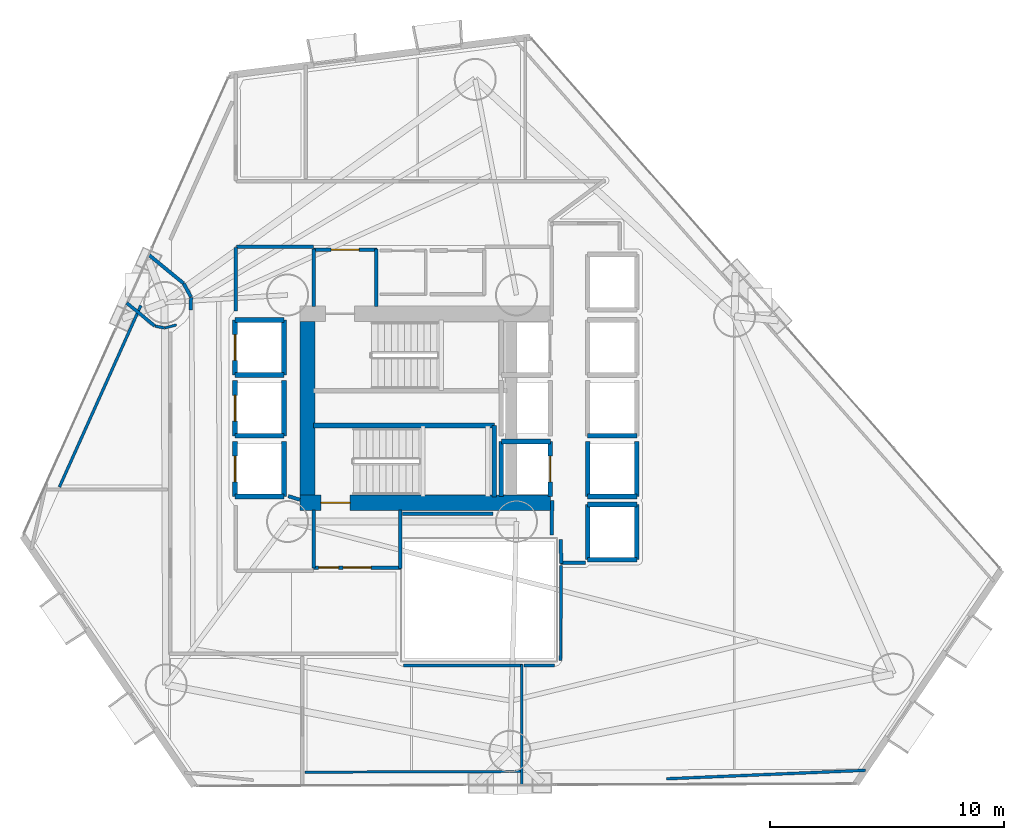
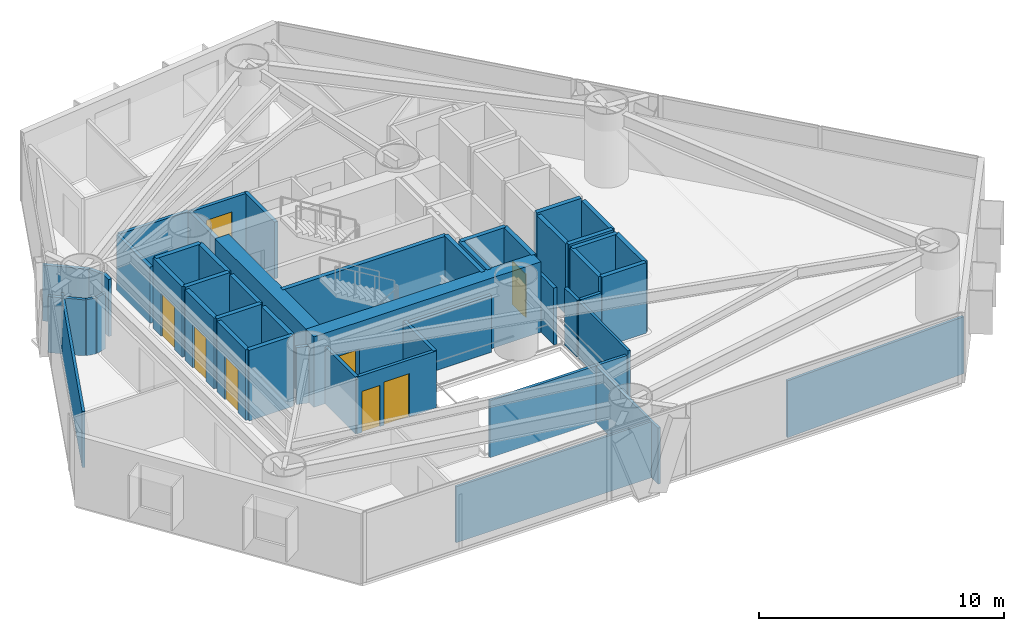
# One storey, part 16 of 22: 51 walls, 8 doors, 8 openings.
"""IFC4 building model written with IfcOpenShell, lengths in metres."""

from ifc_helpers import new_model, si_unit, direction, frame, frame_2d, origin, place, context, subcontext, project, spatial, rectangle, extrude, material, layer, layer_set, type_object, element, fill, save


model = new_model("IFC4")

# Units and contexts
model_context = context("Model", 3, precision=1e-05, world=origin(), true_north=direction((0.0, 1.0)))
body_context = subcontext(model_context, "Body", "Model", "MODEL_VIEW")
ifc_project = project(units=[si_unit("LENGTHUNIT", "METRE"), si_unit("AREAUNIT", "SQUARE_METRE"), si_unit("VOLUMEUNIT", "CUBIC_METRE"), si_unit("PLANEANGLEUNIT", "RADIAN"), si_unit("MASSUNIT", "GRAM", prefix="KILO")], contexts=[model_context])

# Site, building, storey
site_placement = place(None, origin())
site = spatial("IfcSite", under=ifc_project, at=site_placement, CompositionType="ELEMENT")
building_placement = place(site_placement, origin())
building = spatial("IfcBuilding", under=site, at=building_placement, Name="Qianvela Tower", CompositionType="ELEMENT")
storey_placement = place(building_placement, frame((0.0, 0.0, 40.5)))
storey = spatial("IfcBuildingStorey", under=building, at=storey_placement, Name="L09", CompositionType="ELEMENT", Elevation=40.5)

# Wall, opening, door
ifc_material_1 = material(Name="Concrete C60", Category="concrete")
ifc_layer_1 = layer(ifc_material_1, 0.64990234375)
ifc_layer_set_1 = layer_set([ifc_layer_1], Name="Concrete C60")
wall_type_1 = type_object("IfcWallType", Name="WT-CORE-650", PredefinedType="SHEAR", material=ifc_layer_set_1)
wall_1_placement = place(storey_placement, frame((29.1298828125, 24.655029296875, 0.0), z_axis=(0.0, 0.0, 1.0), x_axis=(1.0, 0.0, 0.0)))
wall_1 = element("IfcWall", 1, at=wall_1_placement, inside=storey, type_object=wall_type_1, Name="L09 South Core Shear Wall", PredefinedType="SHEAR", context=body_context, shape_type="SweptSolid", body=[
    extrude(rectangle(XDim=10.72021484375, YDim=0.64990234375, at=frame_2d((5.360107421875, 0.0))), origin(), (0.0, 0.0, 1.0), 3.52001953125),
])
opening_1_placement = place(wall_1_placement, frame((0.89501953125, 0.0, 0.0)))
opening_1 = element("IfcOpeningElement", 2, at=opening_1_placement, cuts=wall_1, Name="Opening D-ST1", PredefinedType="OPENING", context=body_context, shape_type="SweptSolid", body=[
    extrude(rectangle(XDim=1.25, YDim=2.14990234375, at=frame_2d((0.625, 1.074951171875))), frame((0.0, 0.3349609375, 0.0), z_axis=(0.0, -1.0, 0.0), x_axis=(1.0, 0.0, 0.0)), (0.0, 0.0, 1.0), 0.669921875),
])
ifc_material_2 = material(Name="Galvanised Fire Steel Q355B", Category="steel")
door_type_1 = type_object("IfcDoorType", Name="DT-STAIR-FD90", OperationType="NOTDEFINED", PredefinedType="DOOR", material=ifc_material_2)
door_1_placement = place(opening_1_placement, origin())
door_1 = element("IfcDoor", 3, at=door_1_placement, inside=storey, type_object=door_type_1, Name="L09 Stair ST-2 Exit Door", OperationType="SINGLE_SWING_LEFT", OverallHeight=2.14990234375, OverallWidth=1.25, PredefinedType="DOOR", context=body_context, shape_type="SweptSolid", body=[
    extrude(rectangle(XDim=1.25, YDim=2.14990234375, at=frame_2d((0.625, 1.074951171875))), frame((0.0, 0.02490234375, 0.0), z_axis=(0.0, -1.0, 0.0), x_axis=(1.0, 0.0, 0.0)), (0.0, 0.0, 1.0), 0.050048828125),
])
fill(opening_1, door_1)

# Walls
wall_2_placement = place(storey_placement, frame((29.455078125, 24.97998046875, 0.0), z_axis=(0.0, 0.0, 1.0), x_axis=(0.0, 1.0, 0.0)))
element("IfcWall", 4, at=wall_2_placement, inside=storey, type_object=wall_type_1, Name="L09 West Core Shear Wall", PredefinedType="SHEAR", context=body_context, shape_type="SweptSolid", body=[
    extrude(rectangle(XDim=7.43994140625, YDim=0.64990234375, at=frame_2d((3.719970703125, 0.0))), origin(), (0.0, 0.0, 1.0), 3.52001953125),
])
ifc_material_3 = material(Name="Fire-Rated Acoustic Gypsum Board")
ifc_layer_2 = layer(ifc_material_3, 0.14990234375)
ifc_layer_set_2 = layer_set([ifc_layer_2], Name="Fire-Rated Acoustic Gypsum Board")
wall_type_2 = type_object("IfcWallType", Name="WT-CORR-150", PredefinedType="PARTITIONING", material=ifc_layer_set_2)
wall_3_placement = place(storey_placement, frame((29.73095703125, 33.05810546875, 0.0), z_axis=(0.0, 0.0, 1.0), x_axis=(0.0, 1.0, 0.0)))
element("IfcWall", 5, at=wall_3_placement, inside=storey, type_object=wall_type_2, Name="L09 Partition 2", PredefinedType="PARTITIONING", context=body_context, shape_type="SweptSolid", body=[
    extrude(rectangle(XDim=2.4619140625, YDim=0.14990234375, at=frame_2d((1.23095703125, 0.0))), origin(), (0.0, 0.0, 1.0), 2.840087890625),
])

# Wall, opening, door
wall_4_placement = place(storey_placement, frame((29.699951171875, 35.489013671875, 0.0), z_axis=(0.0, 0.0, 1.0), x_axis=(1.0, 0.0, 0.0)))
wall_4 = element("IfcWall", 6, at=wall_4_placement, inside=storey, type_object=wall_type_2, Name="L09 Partition 3", PredefinedType="PARTITIONING", context=body_context, shape_type="SweptSolid", body=[
    extrude(rectangle(XDim=2.719970703125, YDim=0.14990234375, at=frame_2d((1.35986328125, 0.0))), origin(), (0.0, 0.0, 1.0), 2.840087890625),
])
opening_2_placement = place(wall_4_placement, frame((0.760009765625, 0.0, 0.0)))
opening_2 = element("IfcOpeningElement", 7, at=opening_2_placement, cuts=wall_4, Name="Opening D-LB1", PredefinedType="OPENING", context=body_context, shape_type="SweptSolid", body=[
    extrude(rectangle(XDim=1.199951171875, YDim=2.14990234375, at=frame_2d((0.60009765625, 1.074951171875))), frame((0.0, 0.0849609375, 0.0), z_axis=(0.0, -1.0, 0.0), x_axis=(1.0, 0.0, 0.0)), (0.0, 0.0, 1.0), 0.169921875),
])
ifc_material_4 = material(Name="Glazed Fire-Rated Steel Frame", Category="steel")
door_type_2 = type_object("IfcDoorType", Name="DT-LOBBY-FD90", OperationType="NOTDEFINED", PredefinedType="DOOR", material=ifc_material_4)
door_2_placement = place(opening_2_placement, origin())
door_2 = element("IfcDoor", 8, at=door_2_placement, inside=storey, type_object=door_type_2, Name="L09 Door L09 Firefighting Lobby North to L09 Floor Corridor", OperationType="SINGLE_SWING_LEFT", OverallHeight=2.14990234375, OverallWidth=1.199951171875, PredefinedType="DOOR", context=body_context, shape_type="SweptSolid", body=[
    extrude(rectangle(XDim=1.199951171875, YDim=2.14990234375, at=frame_2d((0.60009765625, 1.074951171875))), frame((0.0, 0.02490234375, 0.0), z_axis=(0.0, -1.0, 0.0), x_axis=(1.0, 0.0, 0.0)), (0.0, 0.0, 1.0), 0.050048828125),
])
fill(opening_2, door_2)

# Wall
wall_5_placement = place(storey_placement, frame((32.388916015625, 35.52001953125, 0.0), z_axis=(0.0, 0.0, 1.0), x_axis=(0.0, -1.0, 0.0)))
element("IfcWall", 9, at=wall_5_placement, inside=storey, type_object=wall_type_2, Name="L09 Partition 4", PredefinedType="PARTITIONING", context=body_context, shape_type="SweptSolid", body=[
    extrude(rectangle(XDim=2.4619140625, YDim=0.14990234375, at=frame_2d((1.23095703125, 0.0))), origin(), (0.0, 0.0, 1.0), 2.840087890625),
])

# Wall, openings, doors
wall_6_placement = place(storey_placement, frame((33.449951171875, 21.881103515625, 0.0), z_axis=(0.0, 0.0, 1.0), x_axis=(-1.0, 0.0, 0.0)))
wall_6 = element("IfcWall", 10, at=wall_6_placement, inside=storey, type_object=wall_type_2, Name="L09 Partition 5", PredefinedType="PARTITIONING", context=body_context, shape_type="SweptSolid", body=[
    extrude(rectangle(XDim=3.75, YDim=0.14990234375, at=frame_2d((1.875, 0.0))), origin(), (0.0, 0.0, 1.0), 2.840087890625),
])
opening_3_placement = place(wall_6_placement, frame((1.27490234375, 0.0, 0.0)))
opening_3 = element("IfcOpeningElement", 11, at=opening_3_placement, cuts=wall_6, Name="Opening D-LB1", PredefinedType="OPENING", context=body_context, shape_type="SweptSolid", body=[
    extrude(rectangle(XDim=1.199951171875, YDim=2.14990234375, at=frame_2d((0.60009765625, 1.074951171875))), frame((0.0, 0.0849609375, 0.0), z_axis=(0.0, -1.0, 0.0), x_axis=(1.0, 0.0, 0.0)), (0.0, 0.0, 1.0), 0.169921875),
])
opening_4_placement = place(wall_6_placement, frame((2.659912109375, 0.0, 0.0)))
opening_4 = element("IfcOpeningElement", 12, at=opening_4_placement, cuts=wall_6, Name="Opening D-LB2", PredefinedType="OPENING", context=body_context, shape_type="SweptSolid", body=[
    extrude(rectangle(XDim=0.860107421875, YDim=2.050048828125, at=frame_2d((0.43017578125, 1.02490234375))), frame((0.0, 0.0849609375, 0.0), z_axis=(0.0, -1.0, 0.0), x_axis=(1.0, 0.0, 0.0)), (0.0, 0.0, 1.0), 0.169921875),
])
door_3_placement = place(opening_3_placement, origin())
door_3 = element("IfcDoor", 13, at=door_3_placement, inside=storey, type_object=door_type_2, Name="L09 Door L09 Firefighting Lobby South to L09 Floor Corridor", OperationType="SINGLE_SWING_RIGHT", OverallHeight=2.14990234375, OverallWidth=1.199951171875, PredefinedType="DOOR", context=body_context, shape_type="SweptSolid", body=[
    extrude(rectangle(XDim=1.199951171875, YDim=2.14990234375, at=frame_2d((0.60009765625, 1.074951171875))), frame((0.0, 0.02490234375, 0.0), z_axis=(0.0, -1.0, 0.0), x_axis=(1.0, 0.0, 0.0)), (0.0, 0.0, 1.0), 0.050048828125),
])
fill(opening_3, door_3)
ifc_material_5 = material(Name="Insulated Steel Fire Door Q355B", Category="steel")
door_type_3 = type_object("IfcDoorType", Name="DT-LOBBY-FD90-860", OperationType="NOTDEFINED", PredefinedType="DOOR", material=ifc_material_5)
door_4_placement = place(opening_4_placement, origin())
door_4 = element("IfcDoor", 14, at=door_4_placement, inside=storey, type_object=door_type_3, Name="L09 Door L09 Firefighting Lobby South to L09 Floor Corridor", OperationType="SINGLE_SWING_RIGHT", OverallHeight=2.050048828125, OverallWidth=0.860107421875, PredefinedType="DOOR", context=body_context, shape_type="SweptSolid", body=[
    extrude(rectangle(XDim=0.860107421875, YDim=2.050048828125, at=frame_2d((0.43017578125, 1.02490234375))), frame((0.0, 0.02490234375, 0.0), z_axis=(0.0, -1.0, 0.0), x_axis=(1.0, 0.0, 0.0)), (0.0, 0.0, 1.0), 0.050048828125),
])
fill(opening_4, door_4)

# Walls
for number, where, z_axis, x_axis, name in (
    (15, (29.73095703125, 21.85009765625, 0.0), (0.0, 0.0, 1.0), (0.0, 1.0, 0.0), "L09 Partition 6"),
    (16, (33.4189453125, 24.342041015625, 0.0), (0.0, 0.0, 1.0), (0.0, -1.0, 0.0), "L09 Partition 8"),
):
    element("IfcWall", number, at=place(storey_placement, frame(where, z_axis=z_axis, x_axis=x_axis)), inside=storey, type_object=wall_type_2, Name=name, PredefinedType="PARTITIONING", context=body_context, shape_type="SweptSolid", body=[
        extrude(rectangle(XDim=2.491943359375, YDim=0.14990234375, at=frame_2d((1.24609375, 0.0))), origin(), (0.0, 0.0, 1.0), 2.840087890625),
    ])
wall_7_placement = place(storey_placement, frame((41.360107421875, 22.0810546875, 0.0), z_axis=(0.0, 0.0, 1.0), x_axis=(-1.0, 0.0, 0.0)))
element("IfcWall", 17, at=wall_7_placement, inside=storey, type_object=wall_type_2, Name="L09 Partition 15", PredefinedType="PARTITIONING", context=body_context, shape_type="SweptSolid", body=[
    extrude(rectangle(XDim=1.080078125, YDim=0.14990234375, at=frame_2d((0.5400390625, 0.0))), origin(), (0.0, 0.0, 1.0), 2.840087890625),
])
wall_8_placement = place(storey_placement, frame((40.31103515625, 22.05029296875, 0.0), z_axis=(0.0, 0.0, 1.0), x_axis=(-0.011836292006, 0.999929948642, 0.0)))
element("IfcWall", 18, at=wall_8_placement, inside=storey, type_object=wall_type_2, Name="L09 Partition 16", PredefinedType="PARTITIONING", context=body_context, shape_type="SweptSolid", body=[
    extrude(rectangle(XDim=1.03125, YDim=0.14990234375, at=frame_2d((0.515625, 0.0))), origin(), (0.0, 0.0, 1.0), 2.840087890625),
])
wall_9_placement = place(storey_placement, frame((39.910888671875, 23.27978515625, 0.0), z_axis=(0.0, 0.0, 1.0), x_axis=(0.009397771291, 0.999955839972, 0.0)))
element("IfcWall", 19, at=wall_9_placement, inside=storey, type_object=wall_type_2, Name="L09 Partition 17", PredefinedType="PARTITIONING", context=body_context, shape_type="SweptSolid", body=[
    extrude(rectangle(XDim=1.480712890625, YDim=0.14990234375, at=frame_2d((0.740234375, 0.0))), origin(), (0.0, 0.0, 1.0), 2.840087890625),
])
wall_10_placement = place(storey_placement, frame((29.1298828125, 24.781982421875, 0.0), z_axis=(0.0, 0.0, 1.0), x_axis=(-0.955000482512, 0.296604245422, 0.0)))
element("IfcWall", 20, at=wall_10_placement, inside=storey, type_object=wall_type_2, Name="L09 Partition 31", PredefinedType="PARTITIONING", context=body_context, shape_type="SweptSolid", body=[
    extrude(rectangle(XDim=0.5244140625, YDim=0.14990234375, at=frame_2d((0.26220703125, 0.0))), origin(), (0.0, 0.0, 1.0), 2.840087890625),
])
wall_11_placement = place(storey_placement, frame((37.388671875, 24.180908203125, 0.0), z_axis=(0.0, 0.0, 1.0), x_axis=(-1.0, 0.0, 0.0)))
element("IfcWall", 21, at=wall_11_placement, inside=storey, type_object=wall_type_2, Name="L09 Partition 37", PredefinedType="PARTITIONING", context=body_context, shape_type="SweptSolid", body=[
    extrude(rectangle(XDim=3.858642578125, YDim=0.14990234375, at=frame_2d((1.92919921875, 0.0))), origin(), (0.0, 0.0, 1.0), 2.840087890625),
])
wall_12_placement = place(storey_placement, frame((24.4638671875, 33.461181640625, 0.0), z_axis=(0.0, 0.0, 1.0), x_axis=(-0.4715232649, 0.881853622014, 0.0)))
element("IfcWall", 22, at=wall_12_placement, inside=storey, type_object=wall_type_2, Name="L09 Partition 38", PredefinedType="PARTITIONING", context=body_context, shape_type="SweptSolid", body=[
    extrude(rectangle(XDim=0.650390625, YDim=0.14990234375, at=frame_2d((0.3251953125, 0.0))), origin(), (0.0, 0.0, 1.0), 2.798095703125),
])
wall_13_placement = place(storey_placement, frame((24.149658203125, 34.0439453125, 0.0), z_axis=(0.0, 0.0, 1.0), x_axis=(-0.773007182635, 0.634397269536, 0.0)))
element("IfcWall", 23, at=wall_13_placement, inside=storey, type_object=wall_type_2, Name="L09 Partition 39", PredefinedType="PARTITIONING", context=body_context, shape_type="SweptSolid", body=[
    extrude(rectangle(XDim=1.947998046875, YDim=0.14990234375, at=frame_2d((0.97412109375, 0.0))), origin(), (0.0, 0.0, 1.0), 2.798095703125),
])
wall_14_placement = place(storey_placement, frame((29.699951171875, 35.611083984375, 0.0), z_axis=(0.0, 0.0, 1.0), x_axis=(-1.0, 0.0, 0.0)))
element("IfcWall", 24, at=wall_14_placement, inside=storey, type_object=wall_type_2, Name="L09 Partition 46 seg 4", PredefinedType="PARTITIONING", context=body_context, shape_type="SweptSolid", body=[
    extrude(rectangle(XDim=3.280029296875, YDim=0.14990234375, at=frame_2d((1.64013671875, 0.0))), origin(), (0.0, 0.0, 1.0), 2.798095703125),
])
wall_15_placement = place(storey_placement, frame((26.388916015625, 35.580078125, 0.0), z_axis=(0.0, 0.0, 1.0), x_axis=(0.0, -1.0, 0.0)))
element("IfcWall", 25, at=wall_15_placement, inside=storey, type_object=wall_type_2, Name="L09 Partition 47", PredefinedType="PARTITIONING", context=body_context, shape_type="SweptSolid", body=[
    extrude(rectangle(XDim=2.71044921875, YDim=0.14990234375, at=frame_2d((1.355224609375, 0.0))), origin(), (0.0, 0.0, 1.0), 2.798095703125),
])
wall_16_placement = place(storey_placement, frame((24.45654296875, 32.8974609375, 0.0), z_axis=(0.0, 0.0, 1.0), x_axis=(0.020031598679, 0.999799347396, 0.0)))
element("IfcWall", 26, at=wall_16_placement, inside=storey, type_object=wall_type_2, Name="L09 Partition 54", PredefinedType="PARTITIONING", context=body_context, shape_type="SweptSolid", body=[
    extrude(rectangle(XDim=0.54833984375, YDim=0.14990234375, at=frame_2d((0.274169921875, 0.0))), origin(), (0.0, 0.0, 1.0), 2.840087890625),
])
ifc_material_6 = material(Name="Lightweight Gypsum Room Partition")
ifc_layer_3 = layer(ifc_material_6, 0.10498046875)
ifc_layer_set_3 = layer_set([ifc_layer_3], Name="Lightweight Gypsum Room Partition")
wall_type_3 = type_object("IfcWallType", Name="WT-PART-105", PredefinedType="PARTITIONING", material=ifc_layer_set_3)
wall_17_placement = place(storey_placement, frame((38.657958984375, 13.15087890625, 0.0), z_axis=(0.0, 0.0, 1.0), x_axis=(-0.999994285849, -0.003380572417, 0.0)))
element("IfcWall", 27, at=wall_17_placement, inside=storey, type_object=wall_type_3, Name="L09 Partition 64", PredefinedType="PARTITIONING", context=body_context, shape_type="SweptSolid", body=[
    extrude(rectangle(XDim=9.316162109375, YDim=0.10498046875, at=frame_2d((4.658203125, 0.0))), origin(), (0.0, 0.0, 1.0), 2.798095703125),
])
wall_18_placement = place(storey_placement, frame((23.345703125, 32.137939453125, 0.0), z_axis=(0.0, 0.0, 1.0), x_axis=(0.967662659088, 0.252247850749, 0.0)))
element("IfcWall", 28, at=wall_18_placement, inside=storey, type_object=wall_type_3, Name="L09 Partition 100", PredefinedType="PARTITIONING", context=body_context, shape_type="SweptSolid", body=[
    extrude(rectangle(XDim=0.513916015625, YDim=0.10498046875, at=frame_2d((0.2568359375, 0.0))), origin(), (0.0, 0.0, 1.0), 2.798095703125),
])
ifc_material_7 = material(Name="Insulated Gypsum Stud Partition")
ifc_layer_4 = layer(ifc_material_7, 0.1201171875)
ifc_layer_set_4 = layer_set([ifc_layer_4], Name="Insulated Gypsum Stud Partition")
wall_type_4 = type_object("IfcWallType", Name="WT-PART-120", PredefinedType="PARTITIONING", material=ifc_layer_set_4)
wall_19_placement = place(storey_placement, frame((38.626953125, 17.719970703125, 0.0), z_axis=(0.0, 0.0, 1.0), x_axis=(0.0, -1.0, 0.0)))
element("IfcWall", 29, at=wall_19_placement, inside=storey, type_object=wall_type_4, Name="L09 Partition 63", PredefinedType="PARTITIONING", context=body_context, shape_type="SweptSolid", body=[
    extrude(rectangle(XDim=5.165283203125, YDim=0.1201171875, at=frame_2d((2.58251953125, 0.0))), origin(), (0.0, 0.0, 1.0), 2.798095703125),
])
wall_20_placement = place(storey_placement, frame((53.34619140625, 13.2001953125, 0.0), z_axis=(0.0, 0.0, 1.0), x_axis=(-0.999088252855, -0.042692657532, 0.0)))
element("IfcWall", 30, at=wall_20_placement, inside=storey, type_object=wall_type_4, Name="L09 Partition 75 seg 1", PredefinedType="PARTITIONING", context=body_context, shape_type="SweptSolid", body=[
    extrude(rectangle(XDim=8.537841796875, YDim=0.1201171875, at=frame_2d((4.26904296875, 0.0))), origin(), (0.0, 0.0, 1.0), 2.840087890625),
])
wall_21_placement = place(storey_placement, frame((40.289794921875, 17.892578125, 0.0), z_axis=(0.0, 0.0, 1.0), x_axis=(0.005209510146, 0.99998643041, 0.0)))
element("IfcWall", 31, at=wall_21_placement, inside=storey, type_object=wall_type_4, Name="L09 Partition 78 seg 1", PredefinedType="PARTITIONING", context=body_context, shape_type="SweptSolid", body=[
    extrude(rectangle(XDim=4.0771484375, YDim=0.1201171875, at=frame_2d((2.03857421875, 0.0))), origin(), (0.0, 0.0, 1.0), 2.840087890625),
])
wall_22_placement = place(storey_placement, frame((18.83251953125, 25.329345703125, 0.0), z_axis=(0.0, 0.0, 1.0), x_axis=(0.409306972624, 0.912396735067, 0.0)))
element("IfcWall", 32, at=wall_22_placement, inside=storey, type_object=wall_type_4, Name="L09 Partition 96", PredefinedType="PARTITIONING", context=body_context, shape_type="SweptSolid", body=[
    extrude(rectangle(XDim=8.51513671875, YDim=0.1201171875, at=frame_2d((4.257568359375, 0.0))), origin(), (0.0, 0.0, 1.0), 2.798095703125),
])
wall_23_placement = place(storey_placement, frame((22.92626953125, 32.21826171875, 0.0), z_axis=(0.0, 0.0, 1.0), x_axis=(0.980852113174, -0.194754029692, 0.0)))
element("IfcWall", 33, at=wall_23_placement, inside=storey, type_object=wall_type_4, Name="L09 Partition 99", PredefinedType="PARTITIONING", context=body_context, shape_type="SweptSolid", body=[
    extrude(rectangle(XDim=0.41357421875, YDim=0.1201171875, at=frame_2d((0.206787109375, 0.0))), origin(), (0.0, 0.0, 1.0), 2.798095703125),
])
ifc_material_8 = material(Name="Acoustic Double Gypsum Stud Partition")
ifc_layer_5 = layer(ifc_material_8, 0.139892578125)
ifc_layer_set_5 = layer_set([ifc_layer_5], Name="Acoustic Double Gypsum Stud Partition")
wall_type_5 = type_object("IfcWallType", Name="WT-ROOM-140", PredefinedType="PARTITIONING", material=ifc_layer_set_5)
wall_24_placement = place(storey_placement, frame((33.572509765625, 17.690185546875, 0.0), z_axis=(0.0, 0.0, 1.0), x_axis=(0.999999971191, -0.000240038399, 0.0)))
element("IfcWall", 34, at=wall_24_placement, inside=storey, type_object=wall_type_5, Name="L09 Partition 62", PredefinedType="PARTITIONING", context=body_context, shape_type="SweptSolid", body=[
    extrude(rectangle(XDim=5.08544921875, YDim=0.139892578125, at=frame_2d((2.542724609375, 0.0))), origin(), (0.0, 0.0, 1.0), 2.840087890625),
])
wall_25_placement = place(storey_placement, frame((38.719970703125, 17.689208984375, 0.0), z_axis=(0.0, 0.0, 1.0), x_axis=(0.999999721126, 0.000746825781, 0.0)))
element("IfcWall", 35, at=wall_25_placement, inside=storey, type_object=wall_type_5, Name="L09 Partition 77 seg 1", PredefinedType="PARTITIONING", context=body_context, shape_type="SweptSolid", body=[
    extrude(rectangle(XDim=1.3076171875, YDim=0.139892578125, at=frame_2d((0.65380859375, 0.0))), origin(), (0.0, 0.0, 1.0), 2.840087890625),
])
wall_26_placement = place(storey_placement, frame((21.71435546875, 33.2080078125, 0.0), z_axis=(0.0, 0.0, 1.0), x_axis=(0.7730020736, -0.634403494796, 0.0)))
element("IfcWall", 36, at=wall_26_placement, inside=storey, type_object=wall_type_5, Name="L09 Partition 98", PredefinedType="PARTITIONING", context=body_context, shape_type="SweptSolid", body=[
    extrude(rectangle(XDim=1.550048828125, YDim=0.139892578125, at=frame_2d((0.77490234375, 0.0))), origin(), (0.0, 0.0, 1.0), 2.798095703125),
])
ifc_material_9 = material(Name="Concrete C50", Category="concrete")
ifc_layer_6 = layer(ifc_material_9, 0.199951171875)
ifc_layer_set_6 = layer_set([ifc_layer_6], Name="Concrete C50")
wall_type_6 = type_object("IfcWallType", Name="WT-SHAFT-200", PredefinedType="SOLIDWALL", material=ifc_layer_set_6)
wall_27_placement = place(storey_placement, frame((29.699951171875, 27.9599609375, 0.0), z_axis=(0.0, 0.0, 1.0), x_axis=(1.0, 0.0, 0.0)))
element("IfcWall", 37, at=wall_27_placement, inside=storey, type_object=wall_type_6, Name="L09 Stair ST-2 North Wall", PredefinedType="SOLIDWALL", context=body_context, shape_type="SweptSolid", body=[
    extrude(rectangle(XDim=7.75, YDim=0.199951171875, at=frame_2d((3.875, 0.0))), origin(), (0.0, 0.0, 1.0), 3.52001953125),
])
wall_28_placement = place(storey_placement, frame((37.449951171875, 24.89990234375, 0.0), z_axis=(0.0, 0.0, 1.0), x_axis=(0.0, 1.0, 0.0)))
element("IfcWall", 38, at=wall_28_placement, inside=storey, type_object=wall_type_6, Name="L09 Stair ST-2 East Wall", PredefinedType="SOLIDWALL", context=body_context, shape_type="SweptSolid", body=[
    extrude(rectangle(XDim=3.06005859375, YDim=0.199951171875, at=frame_2d((1.530029296875, 0.0))), origin(), (0.0, 0.0, 1.0), 3.52001953125),
])

# Wall, opening, door
wall_29_placement = place(storey_placement, frame((39.85009765625, 24.919921875, 0.0), z_axis=(0.0, 0.0, 1.0), x_axis=(0.0, 1.0, 0.0)))
wall_29 = element("IfcWall", 39, at=wall_29_placement, inside=storey, type_object=wall_type_6, Name="L09 Lift FL-2 E Shaft Wall", PredefinedType="SOLIDWALL", context=body_context, shape_type="SweptSolid", body=[
    extrude(rectangle(XDim=2.360107421875, YDim=0.199951171875, at=frame_2d((1.18017578125, 0.0))), origin(), (0.0, 0.0, 1.0), 3.52001953125),
])
opening_5_placement = place(wall_29_placement, frame((0.6298828125, 0.0, 0.0)))
opening_5 = element("IfcOpeningElement", 40, at=opening_5_placement, cuts=wall_29, Name="Opening LD-01", PredefinedType="OPENING", context=body_context, shape_type="SweptSolid", body=[
    extrude(rectangle(XDim=1.10009765625, YDim=2.14990234375, at=frame_2d((0.550048828125, 1.074951171875))), frame((0.0, 0.10986328125, 0.0), z_axis=(0.0, -1.0, 0.0), x_axis=(1.0, 0.0, 0.0)), (0.0, 0.0, 1.0), 0.219970703125),
])
ifc_material_10 = material(Name="Brushed Stainless Steel Lift Landing Door", Category="steel")
door_type_4 = type_object("IfcDoorType", Name="DT-LIFT-SLIDE-1100", OperationType="SLIDING_TO_LEFT", PredefinedType="DOOR", material=ifc_material_10)
door_5_placement = place(opening_5_placement, origin())
door_5 = element("IfcDoor", 41, at=door_5_placement, inside=storey, type_object=door_type_4, Name="L09 Lift FL-2 Sliding Landing Door", OperationType="SLIDING_TO_LEFT", OverallHeight=2.14990234375, OverallWidth=1.10009765625, PredefinedType="DOOR", context=body_context, shape_type="SweptSolid", body=[
    extrude(rectangle(XDim=1.10009765625, YDim=2.14990234375, at=frame_2d((0.550048828125, 1.074951171875))), frame((0.0, 0.02490234375, 0.0), z_axis=(0.0, -1.0, 0.0), x_axis=(1.0, 0.0, 0.0)), (0.0, 0.0, 1.0), 0.050048828125),
])
fill(opening_5, door_5)

# Walls
wall_30_placement = place(storey_placement, frame((37.75, 24.919921875, 0.0), z_axis=(0.0, 0.0, 1.0), x_axis=(0.0, 1.0, 0.0)))
element("IfcWall", 42, at=wall_30_placement, inside=storey, type_object=wall_type_6, Name="L09 Lift FL-2 W Shaft Wall", PredefinedType="SOLIDWALL", context=body_context, shape_type="SweptSolid", body=[
    extrude(rectangle(XDim=2.360107421875, YDim=0.199951171875, at=frame_2d((1.18017578125, 0.0))), origin(), (0.0, 0.0, 1.0), 3.52001953125),
])
wall_31_placement = place(storey_placement, frame((37.75, 27.280029296875, 0.0), z_axis=(0.0, 0.0, 1.0), x_axis=(1.0, 0.0, 0.0)))
element("IfcWall", 43, at=wall_31_placement, inside=storey, type_object=wall_type_6, Name="L09 Lift FL-2 N Shaft Wall", PredefinedType="SOLIDWALL", context=body_context, shape_type="SweptSolid", body=[
    extrude(rectangle(XDim=2.10009765625, YDim=0.199951171875, at=frame_2d((1.050048828125, 0.0))), origin(), (0.0, 0.0, 1.0), 3.52001953125),
])
wall_32_placement = place(storey_placement, frame((28.449951171875, 30.1201171875, 0.0), z_axis=(0.0, 0.0, 1.0), x_axis=(0.0, 1.0, 0.0)))
element("IfcWall", 44, at=wall_32_placement, inside=storey, type_object=wall_type_6, Name="L09 Lift PL-L1 E Shaft Wall", PredefinedType="SOLIDWALL", context=body_context, shape_type="SweptSolid", body=[
    extrude(rectangle(XDim=2.35986328125, YDim=0.199951171875, at=frame_2d((1.179931640625, 0.0))), origin(), (0.0, 0.0, 1.0), 3.52001953125),
])

# Wall, opening, door
wall_33_placement = place(storey_placement, frame((26.35009765625, 30.1201171875, 0.0), z_axis=(0.0, 0.0, 1.0), x_axis=(0.0, 1.0, 0.0)))
wall_33 = element("IfcWall", 45, at=wall_33_placement, inside=storey, type_object=wall_type_6, Name="L09 Lift PL-L1 W Shaft Wall", PredefinedType="SOLIDWALL", context=body_context, shape_type="SweptSolid", body=[
    extrude(rectangle(XDim=2.35986328125, YDim=0.199951171875, at=frame_2d((1.179931640625, 0.0))), origin(), (0.0, 0.0, 1.0), 3.52001953125),
])
opening_6_placement = place(wall_33_placement, frame((0.6298828125, 0.0, 0.0)))
opening_6 = element("IfcOpeningElement", 46, at=opening_6_placement, cuts=wall_33, Name="Opening LD-01", PredefinedType="OPENING", context=body_context, shape_type="SweptSolid", body=[
    extrude(rectangle(XDim=1.10009765625, YDim=2.14990234375, at=frame_2d((0.550048828125, 1.074951171875))), frame((0.0, 0.10986328125, 0.0), z_axis=(0.0, -1.0, 0.0), x_axis=(1.0, 0.0, 0.0)), (0.0, 0.0, 1.0), 0.219970703125),
])
door_6_placement = place(opening_6_placement, origin())
door_6 = element("IfcDoor", 47, at=door_6_placement, inside=storey, type_object=door_type_4, Name="L09 Lift PL-L1 Sliding Landing Door", OperationType="SLIDING_TO_LEFT", OverallHeight=2.14990234375, OverallWidth=1.10009765625, PredefinedType="DOOR", context=body_context, shape_type="SweptSolid", body=[
    extrude(rectangle(XDim=1.10009765625, YDim=2.14990234375, at=frame_2d((0.550048828125, 1.074951171875))), frame((0.0, 0.02490234375, 0.0), z_axis=(0.0, -1.0, 0.0), x_axis=(1.0, 0.0, 0.0)), (0.0, 0.0, 1.0), 0.050048828125),
])
fill(opening_6, door_6)

# Walls
for number, where, z_axis, x_axis, name in (
    (48, (26.35009765625, 32.47998046875, 0.0), (0.0, 0.0, 1.0), (1.0, 0.0, 0.0), "L09 Lift PL-L1 N Shaft Wall"),
    (49, (26.35009765625, 30.1201171875, 0.0), (0.0, 0.0, 1.0), (1.0, 0.0, 0.0), "L09 Lift PL-L1 S Shaft Wall"),
):
    element("IfcWall", number, at=place(storey_placement, frame(where, z_axis=z_axis, x_axis=x_axis)), inside=storey, type_object=wall_type_6, Name=name, PredefinedType="SOLIDWALL", context=body_context, shape_type="SweptSolid", body=[
        extrude(rectangle(XDim=2.099853515625, YDim=0.199951171875, at=frame_2d((1.0498046875, 0.0))), origin(), (0.0, 0.0, 1.0), 3.52001953125),
    ])
wall_34_placement = place(storey_placement, frame((28.449951171875, 27.52001953125, 0.0), z_axis=(0.0, 0.0, 1.0), x_axis=(0.0, 1.0, 0.0)))
element("IfcWall", 50, at=wall_34_placement, inside=storey, type_object=wall_type_6, Name="L09 Lift PL-L2 E Shaft Wall", PredefinedType="SOLIDWALL", context=body_context, shape_type="SweptSolid", body=[
    extrude(rectangle(XDim=2.35986328125, YDim=0.199951171875, at=frame_2d((1.179931640625, 0.0))), origin(), (0.0, 0.0, 1.0), 3.52001953125),
])

# Wall, opening, door
wall_35_placement = place(storey_placement, frame((26.35009765625, 27.52001953125, 0.0), z_axis=(0.0, 0.0, 1.0), x_axis=(0.0, 1.0, 0.0)))
wall_35 = element("IfcWall", 51, at=wall_35_placement, inside=storey, type_object=wall_type_6, Name="L09 Lift PL-L2 W Shaft Wall", PredefinedType="SOLIDWALL", context=body_context, shape_type="SweptSolid", body=[
    extrude(rectangle(XDim=2.35986328125, YDim=0.199951171875, at=frame_2d((1.179931640625, 0.0))), origin(), (0.0, 0.0, 1.0), 3.52001953125),
])
opening_7_placement = place(wall_35_placement, frame((0.6298828125, 0.0, 0.0)))
opening_7 = element("IfcOpeningElement", 52, at=opening_7_placement, cuts=wall_35, Name="Opening LD-01", PredefinedType="OPENING", context=body_context, shape_type="SweptSolid", body=[
    extrude(rectangle(XDim=1.10009765625, YDim=2.14990234375, at=frame_2d((0.550048828125, 1.074951171875))), frame((0.0, 0.10986328125, 0.0), z_axis=(0.0, -1.0, 0.0), x_axis=(1.0, 0.0, 0.0)), (0.0, 0.0, 1.0), 0.219970703125),
])
door_7_placement = place(opening_7_placement, origin())
door_7 = element("IfcDoor", 53, at=door_7_placement, inside=storey, type_object=door_type_4, Name="L09 Lift PL-L2 Sliding Landing Door", OperationType="SLIDING_TO_LEFT", OverallHeight=2.14990234375, OverallWidth=1.10009765625, PredefinedType="DOOR", context=body_context, shape_type="SweptSolid", body=[
    extrude(rectangle(XDim=1.10009765625, YDim=2.14990234375, at=frame_2d((0.550048828125, 1.074951171875))), frame((0.0, 0.02490234375, 0.0), z_axis=(0.0, -1.0, 0.0), x_axis=(1.0, 0.0, 0.0)), (0.0, 0.0, 1.0), 0.050048828125),
])
fill(opening_7, door_7)

# Walls
wall_36_placement = place(storey_placement, frame((26.35009765625, 27.52001953125, 0.0), z_axis=(0.0, 0.0, 1.0), x_axis=(1.0, 0.0, 0.0)))
element("IfcWall", 54, at=wall_36_placement, inside=storey, type_object=wall_type_6, Name="L09 Lift PL-L2 S Shaft Wall", PredefinedType="SOLIDWALL", context=body_context, shape_type="SweptSolid", body=[
    extrude(rectangle(XDim=2.099853515625, YDim=0.199951171875, at=frame_2d((1.0498046875, 0.0))), origin(), (0.0, 0.0, 1.0), 3.52001953125),
])
wall_37_placement = place(storey_placement, frame((28.449951171875, 24.919921875, 0.0), z_axis=(0.0, 0.0, 1.0), x_axis=(0.0, 1.0, 0.0)))
element("IfcWall", 55, at=wall_37_placement, inside=storey, type_object=wall_type_6, Name="L09 Lift PL-L3 E Shaft Wall", PredefinedType="SOLIDWALL", context=body_context, shape_type="SweptSolid", body=[
    extrude(rectangle(XDim=2.360107421875, YDim=0.199951171875, at=frame_2d((1.18017578125, 0.0))), origin(), (0.0, 0.0, 1.0), 3.52001953125),
])

# Wall, opening, door
wall_38_placement = place(storey_placement, frame((26.35009765625, 24.919921875, 0.0), z_axis=(0.0, 0.0, 1.0), x_axis=(0.0, 1.0, 0.0)))
wall_38 = element("IfcWall", 56, at=wall_38_placement, inside=storey, type_object=wall_type_6, Name="L09 Lift PL-L3 W Shaft Wall", PredefinedType="SOLIDWALL", context=body_context, shape_type="SweptSolid", body=[
    extrude(rectangle(XDim=2.360107421875, YDim=0.199951171875, at=frame_2d((1.18017578125, 0.0))), origin(), (0.0, 0.0, 1.0), 3.52001953125),
])
opening_8_placement = place(wall_38_placement, frame((0.6298828125, 0.0, 0.0)))
opening_8 = element("IfcOpeningElement", 57, at=opening_8_placement, cuts=wall_38, Name="Opening LD-01", PredefinedType="OPENING", context=body_context, shape_type="SweptSolid", body=[
    extrude(rectangle(XDim=1.10009765625, YDim=2.14990234375, at=frame_2d((0.550048828125, 1.074951171875))), frame((0.0, 0.10986328125, 0.0), z_axis=(0.0, -1.0, 0.0), x_axis=(1.0, 0.0, 0.0)), (0.0, 0.0, 1.0), 0.219970703125),
])
door_8_placement = place(opening_8_placement, origin())
door_8 = element("IfcDoor", 58, at=door_8_placement, inside=storey, type_object=door_type_4, Name="L09 Lift PL-L3 Sliding Landing Door", OperationType="SLIDING_TO_LEFT", OverallHeight=2.14990234375, OverallWidth=1.10009765625, PredefinedType="DOOR", context=body_context, shape_type="SweptSolid", body=[
    extrude(rectangle(XDim=1.10009765625, YDim=2.14990234375, at=frame_2d((0.550048828125, 1.074951171875))), frame((0.0, 0.02490234375, 0.0), z_axis=(0.0, -1.0, 0.0), x_axis=(1.0, 0.0, 0.0)), (0.0, 0.0, 1.0), 0.050048828125),
])
fill(opening_8, door_8)

# Walls
wall_39_placement = place(storey_placement, frame((26.35009765625, 24.919921875, 0.0), z_axis=(0.0, 0.0, 1.0), x_axis=(1.0, 0.0, 0.0)))
element("IfcWall", 59, at=wall_39_placement, inside=storey, type_object=wall_type_6, Name="L09 Lift PL-L3 S Shaft Wall", PredefinedType="SOLIDWALL", context=body_context, shape_type="SweptSolid", body=[
    extrude(rectangle(XDim=2.099853515625, YDim=0.199951171875, at=frame_2d((1.0498046875, 0.0))), origin(), (0.0, 0.0, 1.0), 3.52001953125),
])
wall_40_placement = place(storey_placement, frame((41.449951171875, 27.52001953125, 0.0), z_axis=(0.0, 0.0, 1.0), x_axis=(1.0, 0.0, 0.0)))
element("IfcWall", 60, at=wall_40_placement, inside=storey, type_object=wall_type_6, Name="L09 Lift PL-M2 S Shaft Wall", PredefinedType="SOLIDWALL", context=body_context, shape_type="SweptSolid", body=[
    extrude(rectangle(XDim=2.10009765625, YDim=0.199951171875, at=frame_2d((1.050048828125, 0.0))), origin(), (0.0, 0.0, 1.0), 3.52001953125),
])
for number, where, z_axis, x_axis, name in (
    (61, (43.550048828125, 24.919921875, 0.0), (0.0, 0.0, 1.0), (0.0, 1.0, 0.0), "L09 Lift PL-M3 E Shaft Wall"),
    (62, (41.449951171875, 24.919921875, 0.0), (0.0, 0.0, 1.0), (0.0, 1.0, 0.0), "L09 Lift PL-M3 W Shaft Wall"),
):
    element("IfcWall", number, at=place(storey_placement, frame(where, z_axis=z_axis, x_axis=x_axis)), inside=storey, type_object=wall_type_6, Name=name, PredefinedType="SOLIDWALL", context=body_context, shape_type="SweptSolid", body=[
        extrude(rectangle(XDim=2.360107421875, YDim=0.199951171875, at=frame_2d((1.18017578125, 0.0))), origin(), (0.0, 0.0, 1.0), 3.52001953125),
    ])
wall_41_placement = place(storey_placement, frame((41.449951171875, 24.919921875, 0.0), z_axis=(0.0, 0.0, 1.0), x_axis=(1.0, 0.0, 0.0)))
element("IfcWall", 63, at=wall_41_placement, inside=storey, type_object=wall_type_6, Name="L09 Lift PL-M3 S Shaft Wall", PredefinedType="SOLIDWALL", context=body_context, shape_type="SweptSolid", body=[
    extrude(rectangle(XDim=2.10009765625, YDim=0.199951171875, at=frame_2d((1.050048828125, 0.0))), origin(), (0.0, 0.0, 1.0), 3.52001953125),
])
for number, where, z_axis, x_axis, name in (
    (64, (43.550048828125, 22.219970703125, 0.0), (0.0, 0.0, 1.0), (0.0, 1.0, 0.0), "L09 Lift PL-H2 E Shaft Wall"),
    (65, (41.449951171875, 22.219970703125, 0.0), (0.0, 0.0, 1.0), (0.0, 1.0, 0.0), "L09 Lift PL-H2 W Shaft Wall"),
):
    element("IfcWall", number, at=place(storey_placement, frame(where, z_axis=z_axis, x_axis=x_axis)), inside=storey, type_object=wall_type_6, Name=name, PredefinedType="SOLIDWALL", context=body_context, shape_type="SweptSolid", body=[
        extrude(rectangle(XDim=2.360107421875, YDim=0.199951171875, at=frame_2d((1.18017578125, 0.0))), origin(), (0.0, 0.0, 1.0), 3.52001953125),
    ])
for number, where, z_axis, x_axis, name in (
    (66, (41.449951171875, 24.580078125, 0.0), (0.0, 0.0, 1.0), (1.0, 0.0, 0.0), "L09 Lift PL-H2 N Shaft Wall"),
    (67, (41.449951171875, 22.219970703125, 0.0), (0.0, 0.0, 1.0), (1.0, 0.0, 0.0), "L09 Lift PL-H2 S Shaft Wall"),
):
    element("IfcWall", number, at=place(storey_placement, frame(where, z_axis=z_axis, x_axis=x_axis)), inside=storey, type_object=wall_type_6, Name=name, PredefinedType="SOLIDWALL", context=body_context, shape_type="SweptSolid", body=[
        extrude(rectangle(XDim=2.10009765625, YDim=0.199951171875, at=frame_2d((1.050048828125, 0.0))), origin(), (0.0, 0.0, 1.0), 3.52001953125),
    ])

save(model, "model.ifc")
